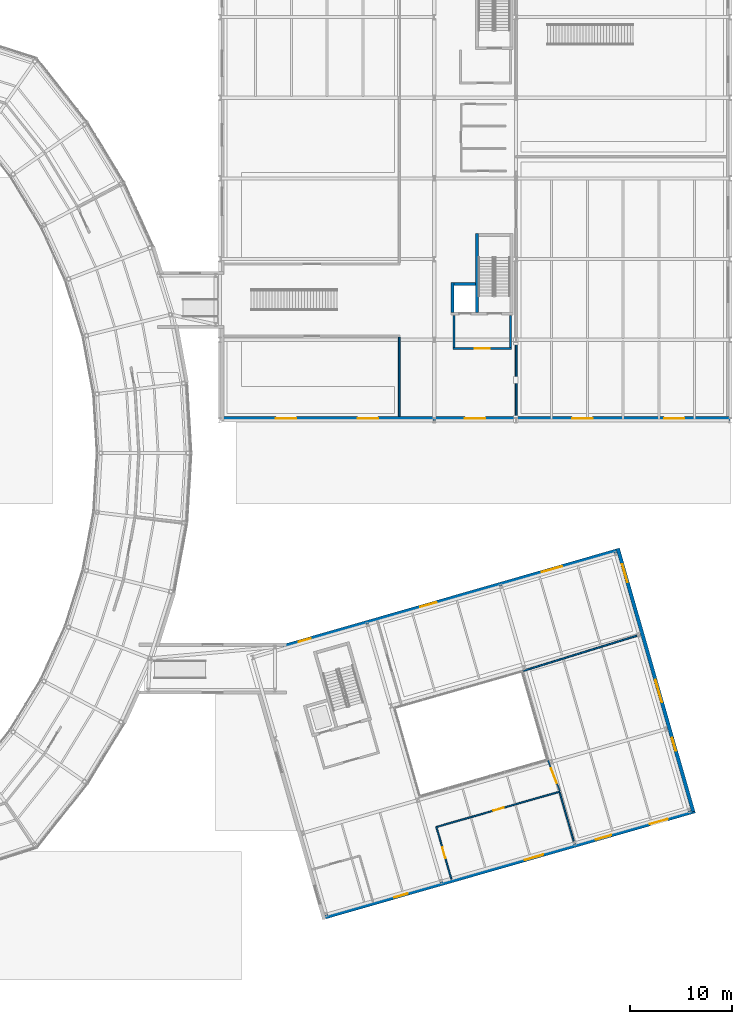
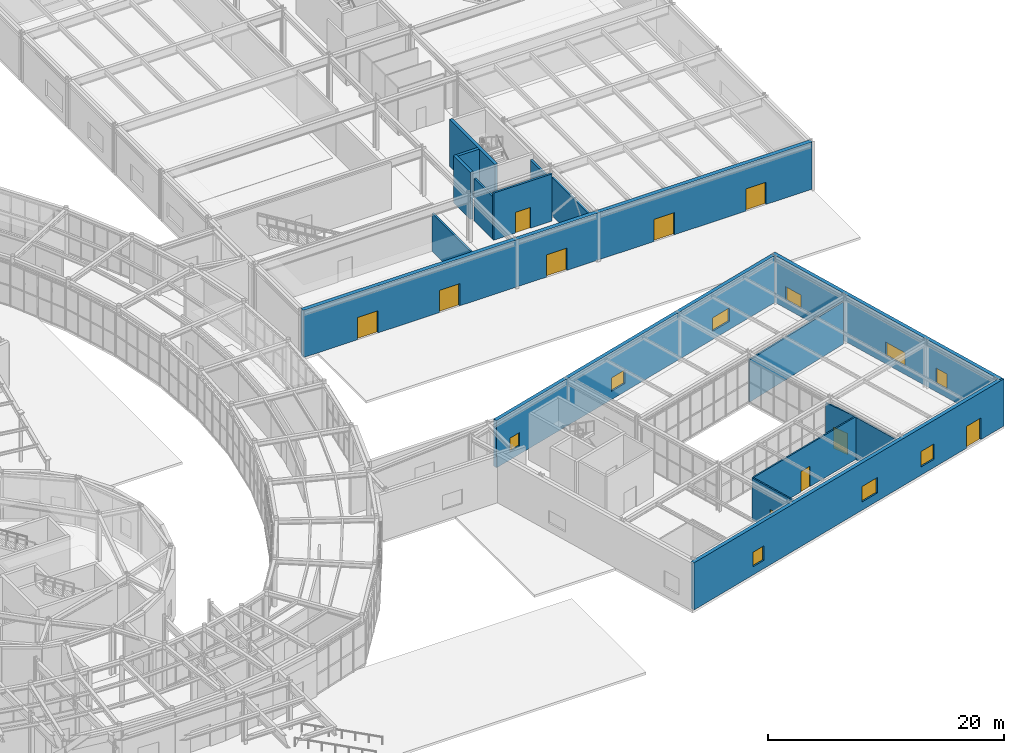
# One storey, part 78 of 97: 17 walls, 10 doors, 9 windows, 19 openings.
"""IFC4 building model written with IfcOpenShell, lengths in metres."""

from ifc_helpers import new_model, si_unit, direction, frame, frame_2d, origin, place, context, subcontext, project, spatial, rectangle, extrude, material, layer, layer_set, type_object, element, fill, save


model = new_model("IFC4")

# Units and contexts
model_context = context("Model", 3, precision=1e-05, world=origin(), true_north=direction((0.0, 1.0)))
body_context = subcontext(model_context, "Body", "Model", "MODEL_VIEW")
ifc_project = project(units=[si_unit("LENGTHUNIT", "METRE"), si_unit("AREAUNIT", "SQUARE_METRE"), si_unit("VOLUMEUNIT", "CUBIC_METRE"), si_unit("PLANEANGLEUNIT", "RADIAN"), si_unit("MASSUNIT", "GRAM", prefix="KILO")], contexts=[model_context])

# Site, building, storey
site_placement = place(None, origin())
site = spatial("IfcSite", under=ifc_project, at=site_placement, CompositionType="ELEMENT")
building_placement = place(site_placement, origin())
building = spatial("IfcBuilding", under=site, at=building_placement, Name="Varnklinge Art Gallery", CompositionType="ELEMENT")
storey_placement = place(building_placement, origin())
storey = spatial("IfcBuildingStorey", under=building, at=storey_placement, Name="L00", CompositionType="ELEMENT", Elevation=0.0)

# Wall, openings, windows
ifc_material_1 = material(Name="Concrete C40/50", Category="concrete")
ifc_layer_1 = layer(ifc_material_1, 0.360107421875)
ifc_layer_set_1 = layer_set([ifc_layer_1], Name="Concrete C40/50")
wall_type_1 = type_object("IfcWallType", Name="EW-36", PredefinedType="SOLIDWALL", material=ifc_layer_set_1)
wall_1_placement = place(storey_placement, frame((120.59765625, 36.080078125, 0.0), z_axis=(0.0, 0.0, 1.0), x_axis=(0.961262598049, 0.275634209764, 0.0)))
wall_1 = element("IfcWall", 1, at=wall_1_placement, inside=storey, type_object=wall_type_1, Name="L00 Exterior Wall EW-V6-L00-02", PredefinedType="SOLIDWALL", context=body_context, shape_type="SweptSolid", body=[
    extrude(rectangle(XDim=34.14453125, YDim=0.360107421875, at=frame_2d((17.072265625, 0.0))), origin(), (0.0, 0.0, 1.0), 4.8798828125),
])
opening_1_placement = place(wall_1_placement, frame((1.60009765625, 0.0, 0.85009765625)))
opening_1 = element("IfcOpeningElement", 2, at=opening_1_placement, cuts=wall_1, Name="Opening WN-21", PredefinedType="OPENING", context=body_context, shape_type="SweptSolid", body=[
    extrude(rectangle(XDim=1.199951171875, YDim=1.39990234375, at=frame_2d((0.60009765625, 0.699951171875))), frame((0.0, 0.190185546875, 0.0), z_axis=(0.0, -1.0, 0.0), x_axis=(1.0, 0.0, 0.0)), (0.0, 0.0, 1.0), 0.380126953125),
])
opening_2_placement = place(wall_1_placement, frame((13.977783203125, 0.0, 0.85009765625)))
opening_2 = element("IfcOpeningElement", 3, at=opening_2_placement, cuts=wall_1, Name="Opening WN-23", PredefinedType="OPENING", context=body_context, shape_type="SweptSolid", body=[
    extrude(rectangle(XDim=1.64990234375, YDim=1.39990234375, at=frame_2d((0.824951171875, 0.699951171875))), frame((0.0, 0.190185546875, 0.0), z_axis=(0.0, -1.0, 0.0), x_axis=(1.0, 0.0, 0.0)), (0.0, 0.0, 1.0), 0.380126953125),
])
opening_3_placement = place(wall_1_placement, frame((26.355712890625, 0.0, 0.85009765625)))
opening_3 = element("IfcOpeningElement", 4, at=opening_3_placement, cuts=wall_1, Name="Opening WN-25", PredefinedType="OPENING", context=body_context, shape_type="SweptSolid", body=[
    extrude(rectangle(XDim=2.050048828125, YDim=1.39990234375, at=frame_2d((1.02490234375, 0.699951171875))), frame((0.0, 0.190185546875, 0.0), z_axis=(0.0, -1.0, 0.0), x_axis=(1.0, 0.0, 0.0)), (0.0, 0.0, 1.0), 0.380126953125),
])
ifc_material_2 = material(Name="Insulated Low-E Triple Glazing", Category="glass")
window_type_1 = type_object("IfcWindowType", Name="WN-21", PartitioningType="SINGLE_PANEL", PredefinedType="WINDOW", material=ifc_material_2)
window_1_placement = place(opening_1_placement, origin())
window_1 = element("IfcWindow", 5, at=window_1_placement, inside=storey, type_object=window_type_1, Name="L00 Window WIN-L00-153", OverallHeight=1.39990234375, OverallWidth=1.199951171875, PartitioningType="SINGLE_PANEL", PredefinedType="WINDOW", context=body_context, shape_type="SweptSolid", body=[
    extrude(rectangle(XDim=1.199951171875, YDim=1.39990234375, at=frame_2d((0.60009765625, 0.699951171875))), frame((0.0, 0.030029296875, 0.0), z_axis=(0.0, -1.0, 0.0), x_axis=(1.0, 0.0, 0.0)), (0.0, 0.0, 1.0), 0.06005859375),
])
fill(opening_1, window_1)
ifc_material_3 = material(Name="Insulated Low-E Triple Glazing", Category="glass")
window_type_2 = type_object("IfcWindowType", Name="WN-23", PartitioningType="SINGLE_PANEL", PredefinedType="WINDOW", material=ifc_material_3)
window_2_placement = place(opening_2_placement, origin())
window_2 = element("IfcWindow", 6, at=window_2_placement, inside=storey, type_object=window_type_2, Name="L00 Window WIN-L00-154", OverallHeight=1.39990234375, OverallWidth=1.64990234375, PartitioningType="SINGLE_PANEL", PredefinedType="WINDOW", context=body_context, shape_type="SweptSolid", body=[
    extrude(rectangle(XDim=1.64990234375, YDim=1.39990234375, at=frame_2d((0.824951171875, 0.699951171875))), frame((0.0, 0.030029296875, 0.0), z_axis=(0.0, -1.0, 0.0), x_axis=(1.0, 0.0, 0.0)), (0.0, 0.0, 1.0), 0.06005859375),
])
fill(opening_2, window_2)
ifc_material_4 = material(Name="Insulated Low-E Triple Glazing", Category="glass")
window_type_3 = type_object("IfcWindowType", Name="WN-25", PartitioningType="SINGLE_PANEL", PredefinedType="WINDOW", material=ifc_material_4)
window_3_placement = place(opening_3_placement, origin())
window_3 = element("IfcWindow", 7, at=window_3_placement, inside=storey, type_object=window_type_3, Name="L00 Window WIN-L00-155", OverallHeight=1.39990234375, OverallWidth=2.050048828125, PartitioningType="SINGLE_PANEL", PredefinedType="WINDOW", context=body_context, shape_type="SweptSolid", body=[
    extrude(rectangle(XDim=2.050048828125, YDim=1.39990234375, at=frame_2d((1.02490234375, 0.699951171875))), frame((0.0, 0.030029296875, 0.0), z_axis=(0.0, -1.0, 0.0), x_axis=(1.0, 0.0, 0.0)), (0.0, 0.0, 1.0), 0.06005859375),
])
fill(opening_3, window_3)

wall_2_placement = place(storey_placement, frame((153.369873046875, 45.66455078125, 0.0), z_axis=(0.0, 0.0, 1.0), x_axis=(0.2756371372, -0.961261758626, 0.0)))
wall_2 = element("IfcWall", 8, at=wall_2_placement, inside=storey, type_object=wall_type_1, Name="L00 Exterior Wall EW-V6-L00-03", PredefinedType="SOLIDWALL", context=body_context, shape_type="SweptSolid", body=[
    extrude(rectangle(XDim=26.820068359375, YDim=0.360107421875, at=frame_2d((13.41015625, 0.0))), origin(), (0.0, 0.0, 1.0), 4.8798828125),
])
opening_4_placement = place(wall_2_placement, frame((1.60009765625, 0.0, 0.85009765625)))
opening_4 = element("IfcOpeningElement", 9, at=opening_4_placement, cuts=wall_2, Name="Opening WN-24", PredefinedType="OPENING", context=body_context, shape_type="SweptSolid", body=[
    extrude(rectangle(XDim=1.85009765625, YDim=1.39990234375, at=frame_2d((0.925048828125, 0.699951171875))), frame((0.0, 0.190185546875, 0.0), z_axis=(0.0, -1.0, 0.0), x_axis=(1.0, 0.0, 0.0)), (0.0, 0.0, 1.0), 0.380126953125),
])
opening_5_placement = place(wall_2_placement, frame((13.409912109375, 0.0, 0.85009765625)))
opening_5 = element("IfcOpeningElement", 10, at=opening_5_placement, cuts=wall_2, Name="Opening WN-26", PredefinedType="OPENING", context=body_context, shape_type="SweptSolid", body=[
    extrude(rectangle(XDim=2.25, YDim=1.39990234375, at=frame_2d((1.125, 0.699951171875))), frame((0.0, 0.190185546875, 0.0), z_axis=(0.0, -1.0, 0.0), x_axis=(1.0, 0.0, 0.0)), (0.0, 0.0, 1.0), 0.380126953125),
])
opening_6_placement = place(wall_2_placement, frame((19.31494140625, 0.0, 0.85009765625)))
opening_6 = element("IfcOpeningElement", 11, at=opening_6_placement, cuts=wall_2, Name="Opening WN-27", PredefinedType="OPENING", context=body_context, shape_type="SweptSolid", body=[
    extrude(rectangle(XDim=1.300048828125, YDim=1.60009765625, at=frame_2d((0.64990234375, 0.800048828125))), frame((0.0, 0.190185546875, 0.0), z_axis=(0.0, -1.0, 0.0), x_axis=(1.0, 0.0, 0.0)), (0.0, 0.0, 1.0), 0.380126953125),
])
ifc_material_5 = material(Name="Insulated Low-E Triple Glazing", Category="glass")
window_type_4 = type_object("IfcWindowType", Name="WN-24", PartitioningType="SINGLE_PANEL", PredefinedType="WINDOW", material=ifc_material_5)
window_4_placement = place(opening_4_placement, origin())
window_4 = element("IfcWindow", 12, at=window_4_placement, inside=storey, type_object=window_type_4, Name="L00 Window WIN-L00-156", OverallHeight=1.39990234375, OverallWidth=1.85009765625, PartitioningType="SINGLE_PANEL", PredefinedType="WINDOW", context=body_context, shape_type="SweptSolid", body=[
    extrude(rectangle(XDim=1.85009765625, YDim=1.39990234375, at=frame_2d((0.925048828125, 0.699951171875))), frame((0.0, 0.030029296875, 0.0), z_axis=(0.0, -1.0, 0.0), x_axis=(1.0, 0.0, 0.0)), (0.0, 0.0, 1.0), 0.06005859375),
])
fill(opening_4, window_4)
ifc_material_6 = material(Name="Insulated Low-E Triple Glazing", Category="glass")
window_type_5 = type_object("IfcWindowType", Name="WN-26", PartitioningType="SINGLE_PANEL", PredefinedType="WINDOW", material=ifc_material_6)
window_5_placement = place(opening_5_placement, origin())
window_5 = element("IfcWindow", 13, at=window_5_placement, inside=storey, type_object=window_type_5, Name="L00 Window WIN-L00-157", OverallHeight=1.39990234375, OverallWidth=2.25, PartitioningType="SINGLE_PANEL", PredefinedType="WINDOW", context=body_context, shape_type="SweptSolid", body=[
    extrude(rectangle(XDim=2.25, YDim=1.39990234375, at=frame_2d((1.125, 0.699951171875))), frame((0.0, 0.030029296875, 0.0), z_axis=(0.0, -1.0, 0.0), x_axis=(1.0, 0.0, 0.0)), (0.0, 0.0, 1.0), 0.06005859375),
])
fill(opening_5, window_5)
ifc_material_7 = material(Name="Insulated Low-E Triple Glazing", Category="glass")
window_type_6 = type_object("IfcWindowType", Name="WN-27", PartitioningType="SINGLE_PANEL", PredefinedType="WINDOW", material=ifc_material_7)
window_6_placement = place(opening_6_placement, origin())
window_6 = element("IfcWindow", 14, at=window_6_placement, inside=storey, type_object=window_type_6, Name="L00 Window WIN-L00-158", OverallHeight=1.60009765625, OverallWidth=1.300048828125, PartitioningType="SINGLE_PANEL", PredefinedType="WINDOW", context=body_context, shape_type="SweptSolid", body=[
    extrude(rectangle(XDim=1.300048828125, YDim=1.60009765625, at=frame_2d((0.64990234375, 0.800048828125))), frame((0.0, 0.030029296875, 0.0), z_axis=(0.0, -1.0, 0.0), x_axis=(1.0, 0.0, 0.0)), (0.0, 0.0, 1.0), 0.06005859375),
])
fill(opening_6, window_6)

# Wall, openings, door, windows
wall_3_placement = place(storey_placement, frame((160.935546875, 19.93310546875, 0.0), z_axis=(0.0, 0.0, 1.0), x_axis=(-0.961262132762, -0.275635832428, 0.0)))
wall_3 = element("IfcWall", 15, at=wall_3_placement, inside=storey, type_object=wall_type_1, Name="L00 Exterior Wall EW-V6-L00-04", PredefinedType="SOLIDWALL", context=body_context, shape_type="SweptSolid", body=[
    extrude(rectangle(XDim=37.820068359375, YDim=0.360107421875, at=frame_2d((18.91015625, 0.0))), origin(), (0.0, 0.0, 1.0), 4.8798828125),
])
opening_7_placement = place(wall_3_placement, frame((2.800048828125, 0.0, 0.0)))
opening_7 = element("IfcOpeningElement", 16, at=opening_7_placement, cuts=wall_3, Name="Opening D-L00-E24", PredefinedType="OPENING", context=body_context, shape_type="SweptSolid", body=[
    extrude(rectangle(XDim=1.800048828125, YDim=2.25, at=frame_2d((0.89990234375, 1.125))), frame((0.0, 0.190185546875, 0.0), z_axis=(0.0, -1.0, 0.0), x_axis=(1.0, 0.0, 0.0)), (0.0, 0.0, 1.0), 0.380126953125),
])
opening_8_placement = place(wall_3_placement, frame((8.52392578125, 0.0, 0.85009765625)))
opening_8 = element("IfcOpeningElement", 17, at=opening_8_placement, cuts=wall_3, Name="Opening WN-28", PredefinedType="OPENING", context=body_context, shape_type="SweptSolid", body=[
    extrude(rectangle(XDim=1.60009765625, YDim=1.60009765625, at=frame_2d((0.800048828125, 0.800048828125))), frame((0.0, 0.190185546875, 0.0), z_axis=(0.0, -1.0, 0.0), x_axis=(1.0, 0.0, 0.0)), (0.0, 0.0, 1.0), 0.380126953125),
])
opening_9_placement = place(wall_3_placement, frame((15.447998046875, 0.0, 0.85009765625)))
opening_9 = element("IfcOpeningElement", 18, at=opening_9_placement, cuts=wall_3, Name="Opening WN-29", PredefinedType="OPENING", context=body_context, shape_type="SweptSolid", body=[
    extrude(rectangle(XDim=1.89990234375, YDim=1.60009765625, at=frame_2d((0.949951171875, 0.800048828125))), frame((0.0, 0.190185546875, 0.0), z_axis=(0.0, -1.0, 0.0), x_axis=(1.0, 0.0, 0.0)), (0.0, 0.0, 1.0), 0.380126953125),
])
opening_10_placement = place(wall_3_placement, frame((29.296142578125, 0.0, 0.85009765625)))
opening_10 = element("IfcOpeningElement", 19, at=opening_10_placement, cuts=wall_3, Name="Opening WN-02", PredefinedType="OPENING", context=body_context, shape_type="SweptSolid", body=[
    extrude(rectangle(XDim=1.35009765625, YDim=1.5, at=frame_2d((0.675048828125, 0.75))), frame((0.0, 0.190185546875, 0.0), z_axis=(0.0, -1.0, 0.0), x_axis=(1.0, 0.0, 0.0)), (0.0, 0.0, 1.0), 0.380126953125),
])
ifc_material_8 = material(Name="Anodised Aluminium", Category="aluminium")
door_type_1 = type_object("IfcDoorType", Name="ED-02", OperationType="DOUBLE_DOOR_SINGLE_SWING", PredefinedType="DOOR", material=ifc_material_8)
door_1_placement = place(opening_7_placement, origin())
door_1 = element("IfcDoor", 20, at=door_1_placement, inside=storey, type_object=door_type_1, Name="L00 Studios Core C5 Final Exit Door D-L00-E24", OperationType="DOUBLE_DOOR_SINGLE_SWING", OverallHeight=2.25, OverallWidth=1.800048828125, PredefinedType="DOOR", context=body_context, shape_type="SweptSolid", body=[
    extrude(rectangle(XDim=1.800048828125, YDim=2.25, at=frame_2d((0.89990234375, 1.125))), frame((0.0, 0.02490234375, 0.0), z_axis=(0.0, -1.0, 0.0), x_axis=(1.0, 0.0, 0.0)), (0.0, 0.0, 1.0), 0.050048828125),
])
fill(opening_7, door_1)
ifc_material_9 = material(Name="Insulated Low-E Triple Glazing", Category="glass")
window_type_7 = type_object("IfcWindowType", Name="WN-02", PartitioningType="SINGLE_PANEL", PredefinedType="WINDOW", material=ifc_material_9)
window_7_placement = place(opening_10_placement, origin())
window_7 = element("IfcWindow", 21, at=window_7_placement, inside=storey, type_object=window_type_7, Name="L00 Window WIN-L00-161", OverallHeight=1.5, OverallWidth=1.35009765625, PartitioningType="SINGLE_PANEL", PredefinedType="WINDOW", context=body_context, shape_type="SweptSolid", body=[
    extrude(rectangle(XDim=1.35009765625, YDim=1.5, at=frame_2d((0.675048828125, 0.75))), frame((0.0, 0.030029296875, 0.0), z_axis=(0.0, -1.0, 0.0), x_axis=(1.0, 0.0, 0.0)), (0.0, 0.0, 1.0), 0.06005859375),
])
fill(opening_10, window_7)
ifc_material_10 = material(Name="Insulated Low-E Triple Glazing", Category="glass")
window_type_8 = type_object("IfcWindowType", Name="WN-28", PartitioningType="SINGLE_PANEL", PredefinedType="WINDOW", material=ifc_material_10)
window_8_placement = place(opening_8_placement, origin())
window_8 = element("IfcWindow", 22, at=window_8_placement, inside=storey, type_object=window_type_8, Name="L00 Window WIN-L00-159", OverallHeight=1.60009765625, OverallWidth=1.60009765625, PartitioningType="SINGLE_PANEL", PredefinedType="WINDOW", context=body_context, shape_type="SweptSolid", body=[
    extrude(rectangle(XDim=1.60009765625, YDim=1.60009765625, at=frame_2d((0.800048828125, 0.800048828125))), frame((0.0, 0.030029296875, 0.0), z_axis=(0.0, -1.0, 0.0), x_axis=(1.0, 0.0, 0.0)), (0.0, 0.0, 1.0), 0.06005859375),
])
fill(opening_8, window_8)
ifc_material_11 = material(Name="Insulated Low-E Triple Glazing", Category="glass")
window_type_9 = type_object("IfcWindowType", Name="WN-29", PartitioningType="SINGLE_PANEL", PredefinedType="WINDOW", material=ifc_material_11)
window_9_placement = place(opening_9_placement, origin())
window_9 = element("IfcWindow", 23, at=window_9_placement, inside=storey, type_object=window_type_9, Name="L00 Window WIN-L00-160", OverallHeight=1.60009765625, OverallWidth=1.89990234375, PartitioningType="SINGLE_PANEL", PredefinedType="WINDOW", context=body_context, shape_type="SweptSolid", body=[
    extrude(rectangle(XDim=1.89990234375, YDim=1.60009765625, at=frame_2d((0.949951171875, 0.800048828125))), frame((0.0, 0.030029296875, 0.0), z_axis=(0.0, -1.0, 0.0), x_axis=(1.0, 0.0, 0.0)), (0.0, 0.0, 1.0), 0.06005859375),
])
fill(opening_9, window_9)

# Wall, openings, doors
ifc_material_12 = material(Name="Concrete C45/55", Category="concrete")
ifc_layer_2 = layer(ifc_material_12, 0.39990234375)
ifc_layer_set_2 = layer_set([ifc_layer_2], Name="Concrete C45/55")
wall_type_2 = type_object("IfcWallType", Name="EW-40", PredefinedType="SOLIDWALL", material=ifc_layer_set_2)
wall_4_placement = place(storey_placement, frame((164.39990234375, 58.39990234375, 0.0), z_axis=(0.0, 0.0, 1.0), x_axis=(-1.0, 0.0, 0.0)))
wall_4 = element("IfcWall", 24, at=wall_4_placement, inside=storey, type_object=wall_type_2, Name="L00 Exterior Wall EW-V1-L00-05", PredefinedType="SOLIDWALL", context=body_context, shape_type="SweptSolid", body=[
    extrude(rectangle(XDim=49.7998046875, YDim=0.39990234375, at=frame_2d((24.89990234375, 0.0))), origin(), (0.0, 0.0, 1.0), 4.8798828125),
])
opening_11_placement = place(wall_4_placement, frame((4.5, 0.0, 0.0)))
opening_11 = element("IfcOpeningElement", 25, at=opening_11_placement, cuts=wall_4, Name="Opening D-L00-E02", PredefinedType="OPENING", context=body_context, shape_type="SweptSolid", body=[
    extrude(rectangle(XDim=2.0, YDim=2.300048828125, at=frame_2d((1.0, 1.14990234375))), frame((0.0, 0.2099609375, 0.0), z_axis=(0.0, -1.0, 0.0), x_axis=(1.0, 0.0, 0.0)), (0.0, 0.0, 1.0), 0.419921875),
])
opening_12_placement = place(wall_4_placement, frame((13.5, 0.0, 0.0)))
opening_12 = element("IfcOpeningElement", 26, at=opening_12_placement, cuts=wall_4, Name="Opening D-L00-E03", PredefinedType="OPENING", context=body_context, shape_type="SweptSolid", body=[
    extrude(rectangle(XDim=2.0, YDim=2.300048828125, at=frame_2d((1.0, 1.14990234375))), frame((0.0, 0.2099609375, 0.0), z_axis=(0.0, -1.0, 0.0), x_axis=(1.0, 0.0, 0.0)), (0.0, 0.0, 1.0), 0.419921875),
])
opening_13_placement = place(wall_4_placement, frame((24.0, 0.0, 0.0)))
opening_13 = element("IfcOpeningElement", 27, at=opening_13_placement, cuts=wall_4, Name="Opening D-L00-E04", PredefinedType="OPENING", context=body_context, shape_type="SweptSolid", body=[
    extrude(rectangle(XDim=2.0, YDim=2.300048828125, at=frame_2d((1.0, 1.14990234375))), frame((0.0, 0.2099609375, 0.0), z_axis=(0.0, -1.0, 0.0), x_axis=(1.0, 0.0, 0.0)), (0.0, 0.0, 1.0), 0.419921875),
])
opening_14_placement = place(wall_4_placement, frame((34.5, 0.0, 0.0)))
opening_14 = element("IfcOpeningElement", 28, at=opening_14_placement, cuts=wall_4, Name="Opening D-L00-E05", PredefinedType="OPENING", context=body_context, shape_type="SweptSolid", body=[
    extrude(rectangle(XDim=2.0, YDim=2.300048828125, at=frame_2d((1.0, 1.14990234375))), frame((0.0, 0.2099609375, 0.0), z_axis=(0.0, -1.0, 0.0), x_axis=(1.0, 0.0, 0.0)), (0.0, 0.0, 1.0), 0.419921875),
])
opening_15_placement = place(wall_4_placement, frame((42.5, 0.0, 0.0)))
opening_15 = element("IfcOpeningElement", 29, at=opening_15_placement, cuts=wall_4, Name="Opening D-L00-E06", PredefinedType="OPENING", context=body_context, shape_type="SweptSolid", body=[
    extrude(rectangle(XDim=2.0, YDim=2.300048828125, at=frame_2d((1.0, 1.14990234375))), frame((0.0, 0.2099609375, 0.0), z_axis=(0.0, -1.0, 0.0), x_axis=(1.0, 0.0, 0.0)), (0.0, 0.0, 1.0), 0.419921875),
])
ifc_material_13 = material(Name="Anodised Aluminium", Category="aluminium")
door_type_2 = type_object("IfcDoorType", Name="ED-01", OperationType="DOUBLE_DOOR_SINGLE_SWING", PredefinedType="DOOR", material=ifc_material_13)
door_2_placement = place(opening_11_placement, origin())
door_2 = element("IfcDoor", 30, at=door_2_placement, inside=storey, type_object=door_type_2, Name="L00 Shell Hall Terrace Final Exit Door D-L00-E02", OperationType="DOUBLE_DOOR_SINGLE_SWING", OverallHeight=2.300048828125, OverallWidth=2.0, PredefinedType="DOOR", context=body_context, shape_type="SweptSolid", body=[
    extrude(rectangle(XDim=2.0, YDim=2.300048828125, at=frame_2d((1.0, 1.14990234375))), frame((0.0, 0.02490234375, 0.0), z_axis=(0.0, -1.0, 0.0), x_axis=(1.0, 0.0, 0.0)), (0.0, 0.0, 1.0), 0.050048828125),
])
fill(opening_11, door_2)
door_3_placement = place(opening_12_placement, origin())
door_3 = element("IfcDoor", 31, at=door_3_placement, inside=storey, type_object=door_type_2, Name="L00 Shell Hall Terrace Final Exit Door D-L00-E03", OperationType="DOUBLE_DOOR_SINGLE_SWING", OverallHeight=2.300048828125, OverallWidth=2.0, PredefinedType="DOOR", context=body_context, shape_type="SweptSolid", body=[
    extrude(rectangle(XDim=2.0, YDim=2.300048828125, at=frame_2d((1.0, 1.14990234375))), frame((0.0, 0.02490234375, 0.0), z_axis=(0.0, -1.0, 0.0), x_axis=(1.0, 0.0, 0.0)), (0.0, 0.0, 1.0), 0.050048828125),
])
fill(opening_12, door_3)
door_4_placement = place(opening_13_placement, origin())
door_4 = element("IfcDoor", 32, at=door_4_placement, inside=storey, type_object=door_type_2, Name="L00 Shell Hall Terrace Final Exit Door D-L00-E04", OperationType="DOUBLE_DOOR_SINGLE_SWING", OverallHeight=2.300048828125, OverallWidth=2.0, PredefinedType="DOOR", context=body_context, shape_type="SweptSolid", body=[
    extrude(rectangle(XDim=2.0, YDim=2.300048828125, at=frame_2d((1.0, 1.14990234375))), frame((0.0, 0.02490234375, 0.0), z_axis=(0.0, -1.0, 0.0), x_axis=(1.0, 0.0, 0.0)), (0.0, 0.0, 1.0), 0.050048828125),
])
fill(opening_13, door_4)
door_5_placement = place(opening_14_placement, origin())
door_5 = element("IfcDoor", 33, at=door_5_placement, inside=storey, type_object=door_type_2, Name="L00 Shell Hall Terrace Final Exit Door D-L00-E05", OperationType="DOUBLE_DOOR_SINGLE_SWING", OverallHeight=2.300048828125, OverallWidth=2.0, PredefinedType="DOOR", context=body_context, shape_type="SweptSolid", body=[
    extrude(rectangle(XDim=2.0, YDim=2.300048828125, at=frame_2d((1.0, 1.14990234375))), frame((0.0, 0.02490234375, 0.0), z_axis=(0.0, -1.0, 0.0), x_axis=(1.0, 0.0, 0.0)), (0.0, 0.0, 1.0), 0.050048828125),
])
fill(opening_14, door_5)
door_6_placement = place(opening_15_placement, origin())
door_6 = element("IfcDoor", 34, at=door_6_placement, inside=storey, type_object=door_type_2, Name="L00 Shell Hall Terrace Final Exit Door D-L00-E06", OperationType="DOUBLE_DOOR_SINGLE_SWING", OverallHeight=2.300048828125, OverallWidth=2.0, PredefinedType="DOOR", context=body_context, shape_type="SweptSolid", body=[
    extrude(rectangle(XDim=2.0, YDim=2.300048828125, at=frame_2d((1.0, 1.14990234375))), frame((0.0, 0.02490234375, 0.0), z_axis=(0.0, -1.0, 0.0), x_axis=(1.0, 0.0, 0.0)), (0.0, 0.0, 1.0), 0.050048828125),
])
fill(opening_15, door_6)

# Wall, opening, door
ifc_material_14 = material(Name="Gypsum Board Partition", Category="gypsum")
ifc_layer_3 = layer(ifc_material_14, 0.139892578125)
ifc_layer_set_3 = layer_set([ifc_layer_3], Name="Gypsum Board Partition")
wall_type_3 = type_object("IfcWallType", Name="IW-14", PredefinedType="PARTITIONING", material=ifc_layer_set_3)
wall_5_placement = place(storey_placement, frame((135.59521484375, 18.440673828125, 0.0), z_axis=(0.0, 0.0, 1.0), x_axis=(0.275622367891, -0.96126599353, 0.0)))
wall_5 = element("IfcWall", 35, at=wall_5_placement, inside=storey, type_object=wall_type_3, Name="L00 Partition Wall IW-L00-0120", PredefinedType="PARTITIONING", context=body_context, shape_type="SweptSolid", body=[
    extrude(rectangle(XDim=5.365966796875, YDim=0.139892578125, at=frame_2d((2.68310546875, 0.0))), origin(), (0.0, 0.0, 1.0), 4.3701171875),
])
opening_16_placement = place(wall_5_placement, frame((2.14306640625, 0.0, 0.0)))
opening_16 = element("IfcOpeningElement", 36, at=opening_16_placement, cuts=wall_5, Name="Opening D-L00-170", PredefinedType="OPENING", context=body_context, shape_type="SweptSolid", body=[
    extrude(rectangle(XDim=1.080078125, YDim=2.1201171875, at=frame_2d((0.5400390625, 1.06005859375))), frame((0.0, 0.079833984375, 0.0), z_axis=(0.0, -1.0, 0.0), x_axis=(1.0, 0.0, 0.0)), (0.0, 0.0, 1.0), 0.159912109375),
])
ifc_material_15 = material(Name="Oak Timber Leaf", Category="wood")
door_type_3 = type_object("IfcDoorType", Name="ID-04", OperationType="SINGLE_SWING_RIGHT", PredefinedType="DOOR", material=ifc_material_15)
door_7_placement = place(opening_16_placement, origin())
door_7 = element("IfcDoor", 37, at=door_7_placement, inside=storey, type_object=door_type_3, Name="L00 L00 Seminar Workshop 1 Door D-L00-170", OperationType="SINGLE_SWING_RIGHT", OverallHeight=2.1201171875, OverallWidth=1.080078125, PredefinedType="DOOR", context=body_context, shape_type="SweptSolid", body=[
    extrude(rectangle(XDim=1.080078125, YDim=2.1201171875, at=frame_2d((0.5400390625, 1.06005859375))), frame((0.0, 0.02490234375, 0.0), z_axis=(0.0, -1.0, 0.0), x_axis=(1.0, 0.0, 0.0)), (0.0, 0.0, 1.0), 0.050048828125),
])
fill(opening_16, door_7)

wall_6_placement = place(storey_placement, frame((146.525390625, 24.93212890625, 0.0), z_axis=(0.0, 0.0, 1.0), x_axis=(0.363735192139, -0.931502393985, 0.0)))
wall_6 = element("IfcWall", 38, at=wall_6_placement, inside=storey, type_object=wall_type_3, Name="L00 Partition Wall IW-L00-0121", PredefinedType="PARTITIONING", context=body_context, shape_type="SweptSolid", body=[
    extrude(rectangle(XDim=3.271484375, YDim=0.139892578125, at=frame_2d((1.6357421875, 0.0))), origin(), (0.0, 0.0, 1.0), 4.3701171875),
])
opening_17_placement = place(wall_6_placement, frame((0.875732421875, 0.0, 0.0)))
opening_17 = element("IfcOpeningElement", 39, at=opening_17_placement, cuts=wall_6, Name="Opening D-L00-171", PredefinedType="OPENING", context=body_context, shape_type="SweptSolid", body=[
    extrude(rectangle(XDim=1.52001953125, YDim=2.199951171875, at=frame_2d((0.760009765625, 1.10009765625))), frame((0.0, 0.079833984375, 0.0), z_axis=(0.0, -1.0, 0.0), x_axis=(1.0, 0.0, 0.0)), (0.0, 0.0, 1.0), 0.159912109375),
])
ifc_material_16 = material(Name="Oak Timber Leaf", Category="wood")
door_type_4 = type_object("IfcDoorType", Name="ID-12", OperationType="DOUBLE_DOOR_SINGLE_SWING", PredefinedType="DOOR", material=ifc_material_16)
door_8_placement = place(opening_17_placement, origin())
door_8 = element("IfcDoor", 40, at=door_8_placement, inside=storey, type_object=door_type_4, Name="L00 L00 Learning Centre Lecture Room Door D-L00-171", OperationType="DOUBLE_DOOR_SINGLE_SWING", OverallHeight=2.199951171875, OverallWidth=1.52001953125, PredefinedType="DOOR", context=body_context, shape_type="SweptSolid", body=[
    extrude(rectangle(XDim=1.52001953125, YDim=2.199951171875, at=frame_2d((0.760009765625, 1.10009765625))), frame((0.0, 0.02490234375, 0.0), z_axis=(0.0, -1.0, 0.0), x_axis=(1.0, 0.0, 0.0)), (0.0, 0.0, 1.0), 0.050048828125),
])
fill(opening_17, door_8)

wall_7_placement = place(storey_placement, frame((147.69482421875, 21.84765625, 0.0), z_axis=(0.0, 0.0, 1.0), x_axis=(-0.961259327695, -0.275645614728, 0.0)))
wall_7 = element("IfcWall", 41, at=wall_7_placement, inside=storey, type_object=wall_type_3, Name="L00 Partition Wall IW-L00-0122", PredefinedType="PARTITIONING", context=body_context, shape_type="SweptSolid", body=[
    extrude(rectangle(XDim=12.48486328125, YDim=0.139892578125, at=frame_2d((6.242431640625, 0.0))), origin(), (0.0, 0.0, 1.0), 4.419921875),
])
opening_18_placement = place(wall_7_placement, frame((5.702392578125, 0.0, 0.0)))
opening_18 = element("IfcOpeningElement", 42, at=opening_18_placement, cuts=wall_7, Name="Opening D-L00-172", PredefinedType="OPENING", context=body_context, shape_type="SweptSolid", body=[
    extrude(rectangle(XDim=1.080078125, YDim=2.1201171875, at=frame_2d((0.5400390625, 1.06005859375))), frame((0.0, 0.079833984375, 0.0), z_axis=(0.0, -1.0, 0.0), x_axis=(1.0, 0.0, 0.0)), (0.0, 0.0, 1.0), 0.159912109375),
])
door_9_placement = place(opening_18_placement, origin())
door_9 = element("IfcDoor", 43, at=door_9_placement, inside=storey, type_object=door_type_3, Name="L00 L00 Seminar Workshop 1 Door D-L00-172", OperationType="SINGLE_SWING_RIGHT", OverallHeight=2.1201171875, OverallWidth=1.080078125, PredefinedType="DOOR", context=body_context, shape_type="SweptSolid", body=[
    extrude(rectangle(XDim=1.080078125, YDim=2.1201171875, at=frame_2d((0.5400390625, 1.06005859375))), frame((0.0, 0.02490234375, 0.0), z_axis=(0.0, -1.0, 0.0), x_axis=(1.0, 0.0, 0.0)), (0.0, 0.0, 1.0), 0.050048828125),
])
fill(opening_18, door_9)

# Walls
wall_8_placement = place(storey_placement, frame((149.052978515625, 17.002197265625, 0.0), z_axis=(0.0, 0.0, 1.0), x_axis=(-0.275613946292, 0.961268408203, 0.0)))
element("IfcWall", 44, at=wall_8_placement, inside=storey, type_object=wall_type_3, Name="L00 Partition Wall IW-L00-0153", PredefinedType="PARTITIONING", context=body_context, shape_type="SweptSolid", body=[
    extrude(rectangle(XDim=4.947265625, YDim=0.139892578125, at=frame_2d((2.4736328125, 0.0))), origin(), (0.0, 0.0, 1.0), 4.3701171875),
])
ifc_material_17 = material(Name="Gypsum Board Partition", Category="gypsum")
ifc_layer_4 = layer(ifc_material_17, 0.14990234375)
ifc_layer_set_4 = layer_set([ifc_layer_4], Name="Gypsum Board Partition")
wall_type_4 = type_object("IfcWallType", Name="IW-15", PredefinedType="PARTITIONING", material=ifc_layer_set_4)
wall_9_placement = place(storey_placement, frame((155.23974609375, 37.118896484375, 0.0), z_axis=(0.0, 0.0, 1.0), x_axis=(-0.955222404678, -0.295888758828, 0.0)))
element("IfcWall", 45, at=wall_9_placement, inside=storey, type_object=wall_type_4, Name="L00 Partition Wall IW-L00-0152", PredefinedType="PARTITIONING", context=body_context, shape_type="SweptSolid", body=[
    extrude(rectangle(XDim=11.719970703125, YDim=0.14990234375, at=frame_2d((5.85986328125, 0.0))), origin(), (0.0, 0.0, 1.0), 4.3701171875),
])
ifc_material_18 = material(Name="Gypsum Board Partition", Category="gypsum")
ifc_layer_5 = layer(ifc_material_18, 0.179931640625)
ifc_layer_set_5 = layer_set([ifc_layer_5], Name="Gypsum Board Partition")
wall_type_5 = type_object("IfcWallType", Name="IW-18", PredefinedType="PARTITIONING", material=ifc_layer_set_5)
wall_10_placement = place(storey_placement, frame((131.969970703125, 58.60400390625, 0.0), z_axis=(0.0, 0.0, 1.0), x_axis=(0.0, 1.0, 0.0)))
element("IfcWall", 46, at=wall_10_placement, inside=storey, type_object=wall_type_5, Name="L00 Partition Wall IW-L00-0041", PredefinedType="PARTITIONING", context=body_context, shape_type="SweptSolid", body=[
    extrude(rectangle(XDim=7.760986328125, YDim=0.179931640625, at=frame_2d((3.88037109375, 0.0))), origin(), (0.0, 0.0, 1.0), 3.9599609375),
])
wall_11_placement = place(storey_placement, frame((143.429931640625, 65.862060546875, 0.0), z_axis=(0.0, 0.0, 1.0), x_axis=(0.0, -1.0, 0.0)))
element("IfcWall", 47, at=wall_11_placement, inside=storey, type_object=wall_type_5, Name="L00 Partition Wall IW-L00-0045", PredefinedType="PARTITIONING", context=body_context, shape_type="SweptSolid", body=[
    extrude(rectangle(XDim=7.258056640625, YDim=0.179931640625, at=frame_2d((3.62890625, 0.0))), origin(), (0.0, 0.0, 1.0), 3.9599609375),
])
ifc_material_19 = material(Name="Concrete C40/50", Category="concrete")
ifc_layer_6 = layer(ifc_material_19, 0.199951171875)
ifc_layer_set_6 = layer_set([ifc_layer_6], Name="Concrete C40/50")
wall_type_6 = type_object("IfcWallType", Name="IW-20", PredefinedType="PARTITIONING", material=ifc_layer_set_6)
for number, where, z_axis, x_axis, name in (
    (48, (142.85009765625, 65.35009765625, 0.0), (0.0, 0.0, 1.0), (0.0, 1.0, 0.0), "L00 Core C3 Lobby South Wall"),
    (49, (137.340087890625, 68.5, 0.0), (0.0, 0.0, 1.0), (0.0, -1.0, 0.0), "L00 Core C3 Lobby North Wall"),
):
    element("IfcWall", number, at=place(storey_placement, frame(where, z_axis=z_axis, x_axis=x_axis)), inside=storey, type_object=wall_type_6, Name=name, PredefinedType="PARTITIONING", context=body_context, shape_type="SweptSolid", body=[
        extrude(rectangle(XDim=3.14990234375, YDim=0.199951171875, at=frame_2d((1.574951171875, 0.0))), origin(), (0.0, 0.0, 1.0), 4.3701171875),
    ])

# Wall, opening, door
wall_12_placement = place(storey_placement, frame((142.949951171875, 65.25, 0.0), z_axis=(0.0, 0.0, 1.0), x_axis=(-1.0, 0.0, 0.0)))
wall_12 = element("IfcWall", 50, at=wall_12_placement, inside=storey, type_object=wall_type_6, Name="L00 Core C3 Lobby Corridor Wall", PredefinedType="PARTITIONING", context=body_context, shape_type="SweptSolid", body=[
    extrude(rectangle(XDim=5.7099609375, YDim=0.199951171875, at=frame_2d((2.85498046875, 0.0))), origin(), (0.0, 0.0, 1.0), 4.8798828125),
])
opening_19_placement = place(wall_12_placement, frame((2.114990234375, 0.0, 0.0)))
opening_19 = element("IfcOpeningElement", 51, at=opening_19_placement, cuts=wall_12, Name="Opening D-L00-054", PredefinedType="OPENING", context=body_context, shape_type="SweptSolid", body=[
    extrude(rectangle(XDim=1.47998046875, YDim=2.14990234375, at=frame_2d((0.739990234375, 1.074951171875))), frame((0.0, 0.110107421875, 0.0), z_axis=(0.0, -1.0, 0.0), x_axis=(1.0, 0.0, 0.0)), (0.0, 0.0, 1.0), 0.219970703125),
])
ifc_material_20 = material(Name="Galvanised Fire-Rated Steel", Category="steel")
door_type_5 = type_object("IfcDoorType", Name="ID-LB1", OperationType="DOUBLE_DOOR_SINGLE_SWING", PredefinedType="DOOR", material=ifc_material_20)
door_10_placement = place(opening_19_placement, origin())
door_10 = element("IfcDoor", 52, at=door_10_placement, inside=storey, type_object=door_type_5, Name="L00 Core C3 Protected Lobby Door D-L00-054", OperationType="DOUBLE_DOOR_SINGLE_SWING", OverallHeight=2.14990234375, OverallWidth=1.47998046875, PredefinedType="DOOR", context=body_context, shape_type="SweptSolid", body=[
    extrude(rectangle(XDim=1.47998046875, YDim=2.14990234375, at=frame_2d((0.739990234375, 1.074951171875))), frame((0.0, 0.02490234375, 0.0), z_axis=(0.0, -1.0, 0.0), x_axis=(1.0, 0.0, 0.0)), (0.0, 0.0, 1.0), 0.050048828125),
])
fill(opening_19, door_10)

# Walls
ifc_material_21 = material(Name="Concrete C40/50", Category="concrete")
ifc_layer_7 = layer(ifc_material_21, 0.280029296875)
ifc_layer_set_7 = layer_set([ifc_layer_7], Name="Concrete C40/50")
wall_type_7 = type_object("IfcWallType", Name="SW-28", PredefinedType="SHEAR", material=ifc_layer_set_7)
wall_13_placement = place(storey_placement, frame((139.590087890625, 76.489990234375, 0.0), z_axis=(0.0, 0.0, 1.0), x_axis=(0.0, -1.0, 0.0)))
element("IfcWall", 53, at=wall_13_placement, inside=storey, type_object=wall_type_7, Name="L00 Core C3 Dividing Shear Wall", PredefinedType="SHEAR", context=body_context, shape_type="SweptSolid", body=[
    extrude(rectangle(XDim=7.699951171875, YDim=0.280029296875, at=frame_2d((3.85009765625, 0.0))), origin(), (0.0, 0.0, 1.0), 4.8798828125),
])
wall_14_placement = place(storey_placement, frame((139.449951171875, 71.550048828125, 0.0), z_axis=(0.0, 0.0, 1.0), x_axis=(-1.0, 0.0, 0.0)))
element("IfcWall", 54, at=wall_14_placement, inside=storey, type_object=wall_type_7, Name="L00 Core C3 Lift East Shear Wall", PredefinedType="SHEAR", context=body_context, shape_type="SweptSolid", body=[
    extrude(rectangle(XDim=2.119873046875, YDim=0.280029296875, at=frame_2d((1.06005859375, 0.0))), origin(), (0.0, 0.0, 1.0), 4.8798828125),
])
wall_15_placement = place(storey_placement, frame((137.18994140625, 71.68994140625, 0.0), z_axis=(0.0, 0.0, 1.0), x_axis=(0.0, -1.0, 0.0)))
element("IfcWall", 55, at=wall_15_placement, inside=storey, type_object=wall_type_7, Name="L00 Core C3 Lift North Shear Wall", PredefinedType="SHEAR", context=body_context, shape_type="SweptSolid", body=[
    extrude(rectangle(XDim=2.89990234375, YDim=0.280029296875, at=frame_2d((1.449951171875, 0.0))), origin(), (0.0, 0.0, 1.0), 4.8798828125),
])

save(model, "model.ifc")
